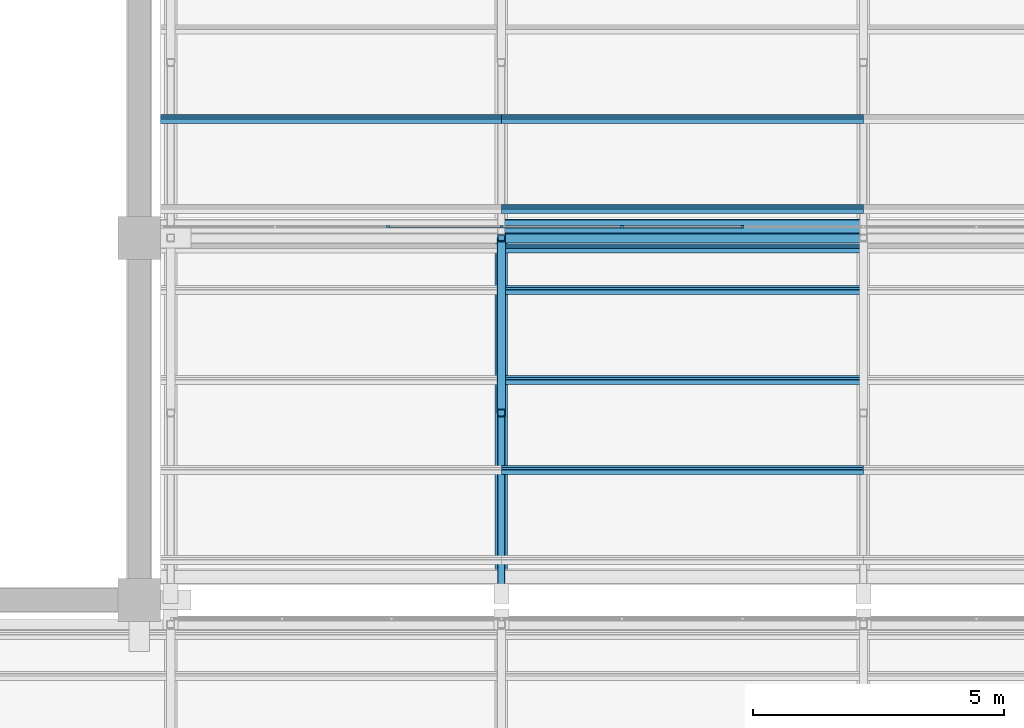
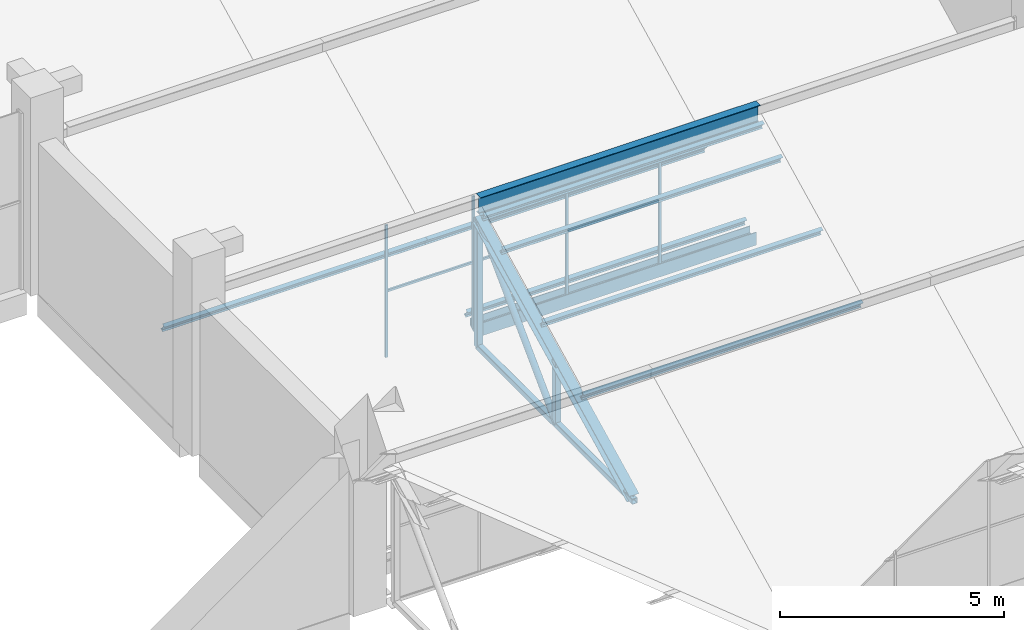
# One storey, part 18 of 83: 21 members, 2 elements without a shape of their own.
"""IFC4 building model written with IfcOpenShell, lengths in metres."""

from ifc_helpers import new_model, si_unit, direction, frame, origin, origin_2d, place, context, subcontext, project, spatial, polyline, rectangle, hollow_rectangle, hollow_circle, i_section, outline, extrude, material, material_profile, profile_set, type_object, element, aggregate, save


model = new_model("IFC4")

# Units and contexts
model_context = context("Model", 3, precision=1e-05, world=origin(), true_north=direction((0.0, 1.0)))
body_context = subcontext(model_context, "Body", "Model", "MODEL_VIEW")
ifc_project = project(units=[si_unit("LENGTHUNIT", "METRE"), si_unit("AREAUNIT", "SQUARE_METRE"), si_unit("VOLUMEUNIT", "CUBIC_METRE"), si_unit("PLANEANGLEUNIT", "RADIAN"), si_unit("MASSUNIT", "GRAM", prefix="KILO")], contexts=[model_context])

# Site, building, storey
site_placement = place(None, origin())
site = spatial("IfcSite", under=ifc_project, at=site_placement, CompositionType="ELEMENT")
building_placement = place(site_placement, origin())
building = spatial("IfcBuilding", under=site, at=building_placement, Name="Silangan Lancet Faculty of Sciences", CompositionType="ELEMENT")
storey_placement = place(building_placement, frame((0.0, 0.0, 11.39990234375)))
storey = spatial("IfcBuildingStorey", under=building, at=storey_placement, Name="L02", CompositionType="ELEMENT", Elevation=11.39990234375)

# Member
ifc_material_1 = material(Name="Steel SS400", Category="steel")
ifc_material_profile_1 = material_profile(ifc_material_1, i_section(OverallWidth=0.199951171875, OverallDepth=0.5, WebThickness=0.010009765625, FlangeThickness=0.01611328125, FilletRadius=0.02001953125, at=origin_2d()), Name="H 500x200x10x16")
ifc_profile_set_1 = profile_set([ifc_material_profile_1], Name="Steel SS400")
member_type_1 = type_object("IfcMemberType", Name="Exposed ridge beam H 500x200x10x16", PredefinedType="MEMBER", material=ifc_profile_set_1)
member_1_placement = place(storey_placement, frame((57.60009765625, 28.800048828125, 3.93701171875), z_axis=(1.0, 0.0, 0.0), x_axis=(0.0, 1.0, 0.0)))
element("IfcMember", 1, at=member_1_placement, inside=storey, type_object=member_type_1, Name="Exposed ridge beam AUD-1-2", PredefinedType="MEMBER", context=body_context, shape_type="SweptSolid", body=[
    extrude(i_section(OverallWidth=0.199951171875, OverallDepth=0.5, WebThickness=0.010009765625, FlangeThickness=0.01611328125, FilletRadius=0.02001953125, at=origin_2d()), origin(), (0.0, 0.0, 1.0), 7.199951171875),
])

# Curtain wall, member
ifc_material_2 = material(Name="Aluminium and laminated glass", Category="aluminium")
curtain_wall_type = type_object("IfcCurtainWallType", Name="North light glazing system", PredefinedType="NOTDEFINED", material=ifc_material_2)
curtain_wall_1_placement = place(storey_placement, origin())
curtain_wall_1 = element("IfcCurtainWall", 2, at=curtain_wall_1_placement, inside=storey, type_object=curtain_wall_type, Name="North light glazing AUD-1-1", PredefinedType="NOTDEFINED")
ifc_material_3 = material(Name="Aluminium 6063-T6", Category="aluminium")
ifc_material_profile_2 = material_profile(ifc_material_3, rectangle(XDim=0.06005859375, YDim=0.050048828125, at=origin_2d()), Name="AL 60x50")
ifc_profile_set_2 = profile_set([ifc_material_profile_2], Name="Aluminium 6063-T6")
member_type_2 = type_object("IfcMemberType", Name="North light mullion 60x50", PredefinedType="MULLION", material=ifc_profile_set_2)
member_2_placement = place(storey_placement, frame((55.351806640625, 29.02490234375, 0.4423828125), z_axis=(0.0, 0.0, 1.0), x_axis=(1.0, 0.0, 0.0)))
member_2 = element("IfcMember", 3, at=member_2_placement, type_object=member_type_2, Name="North light mullion AUD-1-1 3", PredefinedType="MULLION", context=body_context, shape_type="SweptSolid", body=[
    extrude(rectangle(XDim=0.06005859375, YDim=0.050048828125, at=origin_2d()), origin(), (0.0, 0.0, 1.0), 3.60205078125),
])

# Curtain wall, members
curtain_wall_2_placement = place(storey_placement, origin())
curtain_wall_2 = element("IfcCurtainWall", 4, at=curtain_wall_2_placement, inside=storey, type_object=curtain_wall_type, Name="North light glazing AUD-1-2", PredefinedType="NOTDEFINED")
member_3_placement = place(storey_placement, frame((57.60009765625, 29.02490234375, 0.4423828125), z_axis=(0.0, 0.0, 1.0), x_axis=(1.0, 0.0, 0.0)))
member_3 = element("IfcMember", 5, at=member_3_placement, type_object=member_type_2, Name="North light mullion AUD-1-2 1", PredefinedType="MULLION", context=body_context, shape_type="SweptSolid", body=[
    extrude(rectangle(XDim=0.06005859375, YDim=0.050048828125, at=origin_2d()), origin(), (0.0, 0.0, 1.0), 3.60205078125),
])
member_4_placement = place(storey_placement, frame((60.0, 29.02490234375, 0.4423828125), z_axis=(0.0, 0.0, 1.0), x_axis=(1.0, 0.0, 0.0)))
member_4 = element("IfcMember", 6, at=member_4_placement, type_object=member_type_2, Name="North light mullion AUD-1-2 2", PredefinedType="MULLION", context=body_context, shape_type="SweptSolid", body=[
    extrude(rectangle(XDim=0.06005859375, YDim=0.050048828125, at=origin_2d()), origin(), (0.0, 0.0, 1.0), 3.60205078125),
])
member_5_placement = place(storey_placement, frame((62.39990234375, 29.02490234375, 0.4423828125), z_axis=(0.0, 0.0, 1.0), x_axis=(1.0, 0.0, 0.0)))
member_5 = element("IfcMember", 7, at=member_5_placement, type_object=member_type_2, Name="North light mullion AUD-1-2 3", PredefinedType="MULLION", context=body_context, shape_type="SweptSolid", body=[
    extrude(rectangle(XDim=0.06005859375, YDim=0.050048828125, at=origin_2d()), origin(), (0.0, 0.0, 1.0), 3.60205078125),
])

# Member
ifc_material_4 = material(Name="Aluminium 6063-T6", Category="aluminium")
ifc_material_profile_3 = material_profile(ifc_material_4, rectangle(XDim=0.050048828125, YDim=0.06005859375, at=origin_2d()), Name="AL 50x60")
ifc_profile_set_3 = profile_set([ifc_material_profile_3], Name="Aluminium 6063-T6")
member_type_3 = type_object("IfcMemberType", Name="North light transom 50x60", PredefinedType="USERDEFINED", material=ifc_profile_set_3)
member_6_placement = place(storey_placement, frame((55.381591796875, 29.02490234375, 2.243408203125), z_axis=(1.0, 0.0, 0.0), x_axis=(0.0, 1.0, 0.0)))
member_6 = element("IfcMember", 8, at=member_6_placement, type_object=member_type_3, Name="North light transom AUD-1-1 3", ObjectType="TRANSOM", PredefinedType="USERDEFINED", context=body_context, shape_type="SweptSolid", body=[
    extrude(rectangle(XDim=0.050048828125, YDim=0.06005859375, at=origin_2d()), origin(), (0.0, 0.0, 1.0), 2.1884765625),
])

aggregate(curtain_wall_1, [member_2, member_6])

member_7_placement = place(storey_placement, frame((57.6298828125, 29.02490234375, 2.243408203125), z_axis=(1.0, 0.0, 0.0), x_axis=(0.0, 1.0, 0.0)))
member_7 = element("IfcMember", 9, at=member_7_placement, type_object=member_type_3, Name="North light transom AUD-1-2 1", ObjectType="TRANSOM", PredefinedType="USERDEFINED", context=body_context, shape_type="SweptSolid", body=[
    extrude(rectangle(XDim=0.050048828125, YDim=0.06005859375, at=origin_2d()), origin(), (0.0, 0.0, 1.0), 2.340087890625),
])

member_8_placement = place(storey_placement, frame((60.030029296875, 29.02490234375, 2.243408203125), z_axis=(1.0, 0.0, 0.0), x_axis=(0.0, 1.0, 0.0)))
member_8 = element("IfcMember", 10, at=member_8_placement, type_object=member_type_3, Name="North light transom AUD-1-2 2", ObjectType="TRANSOM", PredefinedType="USERDEFINED", context=body_context, shape_type="SweptSolid", body=[
    extrude(rectangle(XDim=0.050048828125, YDim=0.06005859375, at=origin_2d()), origin(), (0.0, 0.0, 1.0), 2.340087890625),
])

aggregate(curtain_wall_2, [member_3, member_4, member_5, member_7, member_8])

# Members
ifc_material_5 = material(Name="Steel SS400", Category="steel")
ifc_material_profile_4 = material_profile(ifc_material_5, i_section(OverallWidth=0.10009765625, OverallDepth=0.199951171875, WebThickness=0.005615234375, FlangeThickness=0.008056640625, FilletRadius=0.008056640625, at=origin_2d()), Name="H 200x100x5.5x8")
ifc_profile_set_4 = profile_set([ifc_material_profile_4], Name="Steel SS400")
member_type_4 = type_object("IfcMemberType", Name="Sheeting purlin H 200x100x5.5x8", PredefinedType="PURLIN", material=ifc_profile_set_4)
member_9_placement = place(storey_placement, frame((50.824951171875, 31.1591796875, 1.526123046875), z_axis=(1.0, 0.0, 0.0), x_axis=(0.0, 0.894427192382, 0.447213592736)))
element("IfcMember", 11, at=member_9_placement, inside=storey, type_object=member_type_4, Name="Sheeting purlin AUD-2-1 2", PredefinedType="PURLIN", context=body_context, shape_type="SweptSolid", body=[
    extrude(i_section(OverallWidth=0.10009765625, OverallDepth=0.199951171875, WebThickness=0.005615234375, FlangeThickness=0.008056640625, FilletRadius=0.008056640625, at=origin_2d()), origin(), (0.0, 0.0, 1.0), 6.775146484375),
])
for number, where, z_axis, x_axis, name in (
    (12, (57.60009765625, 24.189208984375, 1.526123046875), (1.0, 0.0, 0.0), (0.0, 0.894427192382, 0.447213592736), "Sheeting purlin AUD-1-2 2"),
    (13, (57.60009765625, 25.977783203125, 2.420654296875), (1.0, 0.0, 0.0), (0.0, 0.894427192382, 0.447213592736), "Sheeting purlin AUD-1-2 3"),
    (14, (57.60009765625, 27.766845703125, 3.31494140625), (1.0, 0.0, 0.0), (0.0, 0.894427192382, 0.447213592736), "Sheeting purlin AUD-1-2 4"),
    (15, (57.60009765625, 28.592041015625, 3.727783203125), (1.0, 0.0, 0.0), (0.0, 0.894427192382, 0.447213592736), "Sheeting purlin AUD-1-2 5"),
    (16, (57.60009765625, 29.3701171875, 0.6318359375), (1.0, 0.0, 0.0), (0.0, 0.894427192382, 0.447213592736), "Sheeting purlin AUD-2-2 1"),
    (17, (57.60009765625, 31.1591796875, 1.526123046875), (1.0, 0.0, 0.0), (0.0, 0.894427192382, 0.447213592736), "Sheeting purlin AUD-2-2 2"),
):
    element("IfcMember", number, at=place(storey_placement, frame(where, z_axis=z_axis, x_axis=x_axis)), inside=storey, type_object=member_type_4, Name=name, PredefinedType="PURLIN", context=body_context, shape_type="SweptSolid", body=[
        extrude(i_section(OverallWidth=0.10009765625, OverallDepth=0.199951171875, WebThickness=0.005615234375, FlangeThickness=0.008056640625, FilletRadius=0.008056640625, at=origin_2d()), origin(), (0.0, 0.0, 1.0), 7.199951171875),
    ])
ifc_material_6 = material(Name="Steel STKR400", Category="steel")
ifc_material_profile_5 = material_profile(ifc_material_6, hollow_rectangle(XDim=0.14990234375, YDim=0.14990234375, WallThickness=0.009033203125, InnerFilletRadius=0.009033203125, OuterFilletRadius=0.01806640625, at=origin_2d()), Name="SHS 150x150x9.0")
ifc_profile_set_5 = profile_set([ifc_material_profile_5], Name="Steel STKR400")
member_type_5 = type_object("IfcMemberType", Name="Truss bottom chord SHS 150x150x9.0", PredefinedType="CHORD", material=ifc_profile_set_5)
member_10_placement = place(storey_placement, frame((57.60009765625, 21.830078125, 0.09521484375), z_axis=(0.0, 1.0, 0.0), x_axis=(-1.0, 0.0, 0.0)))
element("IfcMember", 18, at=member_10_placement, inside=storey, type_object=member_type_5, Name="Truss 2 bottom chord 1", PredefinedType="CHORD", context=body_context, shape_type="SweptSolid", body=[
    extrude(hollow_rectangle(XDim=0.14990234375, YDim=0.14990234375, WallThickness=0.009033203125, InnerFilletRadius=0.009033203125, OuterFilletRadius=0.01806640625, at=origin_2d()), origin(), (0.0, 0.0, 1.0), 6.969970703125),
])
ifc_material_7 = material(Name="Steel STK400", Category="steel")
ifc_material_profile_6 = material_profile(ifc_material_7, hollow_circle(Radius=0.08251953125, WallThickness=0.0048828125, at=origin_2d()), Name="CHS 165.2x5.0")
ifc_profile_set_6 = profile_set([ifc_material_profile_6], Name="Steel STK400")
member_type_6 = type_object("IfcMemberType", Name="Truss diagonal CHS 165.2x5.0", PredefinedType="BRACE", material=ifc_profile_set_6)
member_11_placement = place(storey_placement, frame((57.60009765625, 25.31494140625, 0.09521484375), z_axis=(0.0, 0.707131548933, 0.707082012572), x_axis=(-1.0, 0.0, 0.0)))
element("IfcMember", 19, at=member_11_placement, inside=storey, type_object=member_type_6, Name="Truss 2 diagonal 1", PredefinedType="BRACE", context=body_context, shape_type="SweptSolid", body=[
    extrude(hollow_circle(Radius=0.08251953125, WallThickness=0.0048828125, at=origin_2d()), origin(), (0.0, 0.0, 1.0), 4.928466796875),
])
ifc_material_8 = material(Name="Steel STKR400", Category="steel")
ifc_material_profile_7 = material_profile(ifc_material_8, hollow_rectangle(XDim=0.14990234375, YDim=0.14990234375, WallThickness=0.006103515625, InnerFilletRadius=0.006103515625, OuterFilletRadius=0.011962890625, at=origin_2d()), Name="SHS 150x150x6.0")
ifc_profile_set_7 = profile_set([ifc_material_profile_7], Name="Steel STKR400")
member_type_7 = type_object("IfcMemberType", Name="Truss post SHS 150x150x6.0", PredefinedType="POST", material=ifc_profile_set_7)
member_12_placement = place(storey_placement, frame((57.60009765625, 28.800048828125, 0.09521484375), z_axis=(0.0, 0.0, 1.0), x_axis=(1.0, 0.0, 0.0)))
element("IfcMember", 20, at=member_12_placement, inside=storey, type_object=member_type_7, Name="Truss 2 riser post 1", PredefinedType="POST", context=body_context, shape_type="SweptSolid", body=[
    extrude(hollow_rectangle(XDim=0.14990234375, YDim=0.14990234375, WallThickness=0.006103515625, InnerFilletRadius=0.006103515625, OuterFilletRadius=0.011962890625, at=origin_2d()), origin(), (0.0, 0.0, 1.0), 3.48486328125),
])
member_13_placement = place(storey_placement, frame((57.60009765625, 25.31494140625, 0.09521484375), z_axis=(0.0, 0.0, 1.0), x_axis=(1.0, 0.0, 0.0)))
element("IfcMember", 21, at=member_13_placement, inside=storey, type_object=member_type_7, Name="Truss 2 mid post 1", PredefinedType="POST", context=body_context, shape_type="SweptSolid", body=[
    extrude(hollow_rectangle(XDim=0.14990234375, YDim=0.14990234375, WallThickness=0.006103515625, InnerFilletRadius=0.006103515625, OuterFilletRadius=0.011962890625, at=origin_2d()), origin(), (0.0, 0.0, 1.0), 1.742431640625),
])
ifc_material_9 = material(Name="Steel SS400", Category="steel")
ifc_material_profile_8 = material_profile(ifc_material_9, i_section(OverallWidth=0.25, OverallDepth=0.25, WebThickness=0.009033203125, FlangeThickness=0.013916015625, FilletRadius=0.01611328125, at=origin_2d()), Name="H 250x250x9x14")
ifc_profile_set_8 = profile_set([ifc_material_profile_8], Name="Steel SS400")
member_type_8 = type_object("IfcMemberType", Name="Truss top chord H 250x250x9x14", PredefinedType="CHORD", material=ifc_profile_set_8)
member_14_placement = place(storey_placement, frame((57.60009765625, 21.910400390625, 0.13525390625), z_axis=(0.0, 0.894427191, 0.4472135955), x_axis=(-1.0, 0.0, 0.0)))
element("IfcMember", 22, at=member_14_placement, inside=storey, type_object=member_type_8, Name="Truss 2 top chord 1", PredefinedType="CHORD", context=body_context, shape_type="SweptSolid", body=[
    extrude(i_section(OverallWidth=0.25, OverallDepth=0.25, WebThickness=0.009033203125, FlangeThickness=0.013916015625, FilletRadius=0.01611328125, at=origin_2d()), origin(), (0.0, 0.0, 1.0), 7.702880859375),
])
ifc_material_10 = material(Name="Stainless steel", Category="steel")
ifc_material_profile_9 = material_profile(ifc_material_10, outline(polyline([(-0.14990234375, 0.0), (0.14990234375, 0.14990234375), (0.14990234375, 0.35009765625), (0.1298828125, 0.35009765625), (0.1298828125, 0.169921875), (-0.1298828125, 0.169921875), (-0.1298828125, 0.35009765625), (-0.14990234375, 0.35009765625), (-0.14990234375, 0.0)])), Name="valley gutter")
ifc_profile_set_9 = profile_set([ifc_material_profile_9], Name="Stainless steel")
member_type_9 = type_object("IfcMemberType", Name="Valley gutter 300 wide", PredefinedType="USERDEFINED", material=ifc_profile_set_9)
member_15_placement = place(storey_placement, frame((57.60009765625, 29.02490234375, 0.2724609375), z_axis=(1.0, 0.0, 0.0), x_axis=(0.0, 1.0, 0.0)))
element("IfcMember", 23, at=member_15_placement, inside=storey, type_object=member_type_9, Name="Valley gutter AUD-2-2", ObjectType="GUTTER", PredefinedType="USERDEFINED", context=body_context, shape_type="SweptSolid", body=[
    extrude(outline(polyline([(-0.14990234375, 0.0), (0.14990234375, 0.14990234375), (0.14990234375, 0.35009765625), (0.1298828125, 0.35009765625), (0.1298828125, 0.169921875), (-0.1298828125, 0.169921875), (-0.1298828125, 0.35009765625), (-0.14990234375, 0.35009765625), (-0.14990234375, 0.0)])), origin(), (0.0, 0.0, 1.0), 7.199951171875),
])

save(model, "model.ifc")
